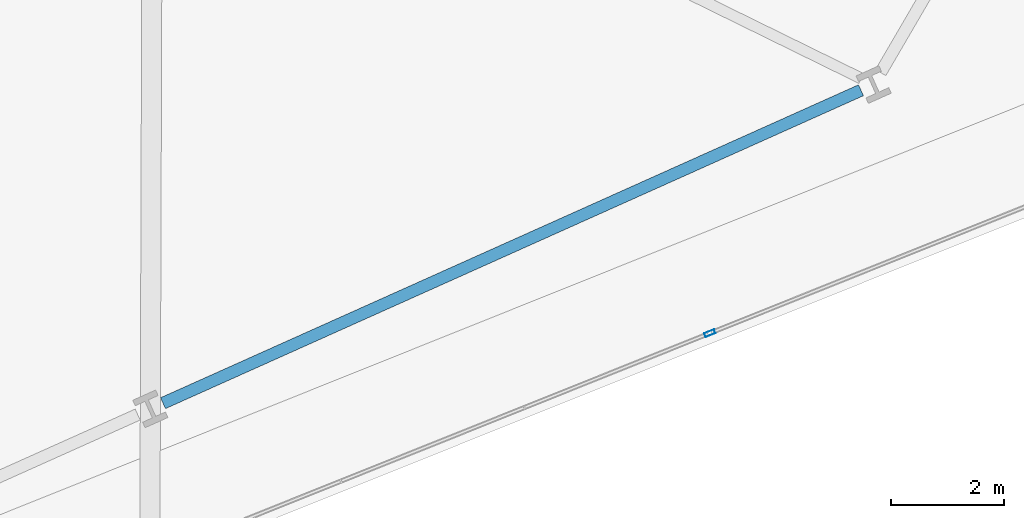
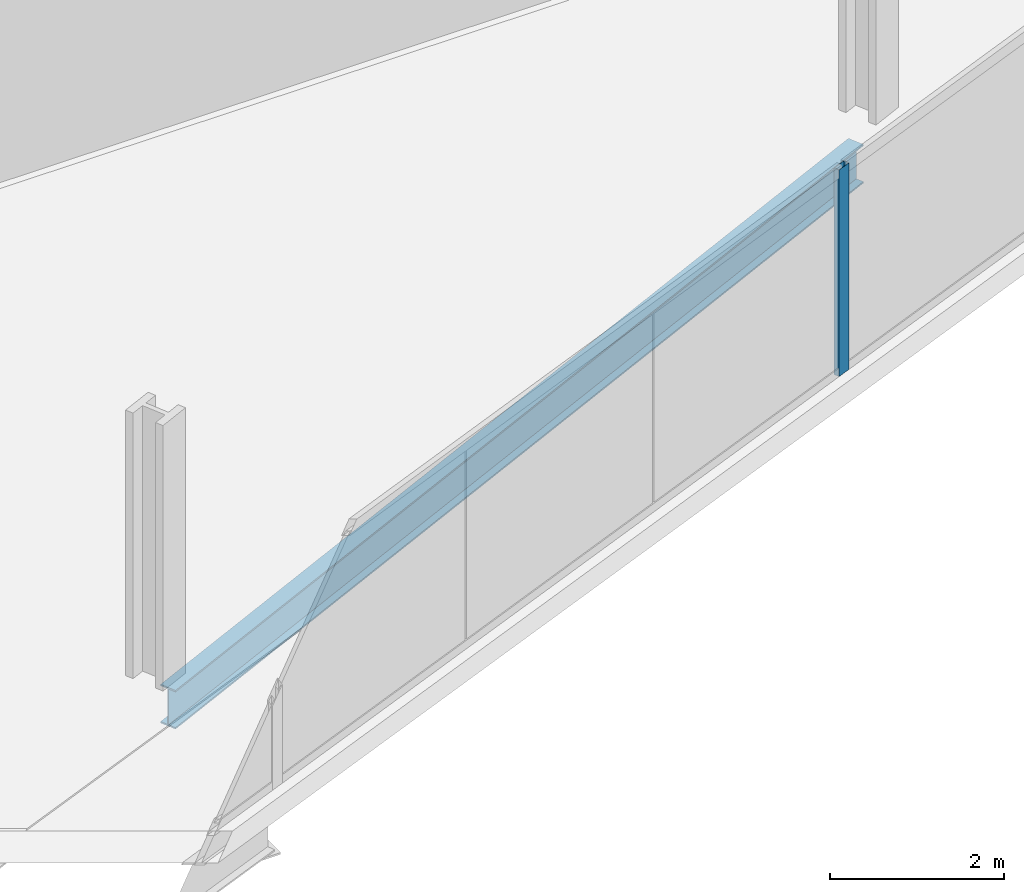
# One storey, part 9 of 33: 1 beam, 1 member, 1 element without a shape of its own.
"""IFC4 building model written with IfcOpenShell, lengths in metres."""

import ifcopenshell
import ifcopenshell.guid

model = None  # the IFC model being written
_history = None  # IfcOwnerHistory: only IFC2X3 demands one
_inside = {}  # id of a spatial element -> (the spatial element, [elements in it])
_under = {}  # id of a project, library or spatial element -> (it, [spatial elements below it])
_declared = {}  # id of a project -> (the project, [libraries it declares])
_typed = {}  # id of a type object -> (the type object, [elements of that type])
_made_of = {}  # id of a material, layer set ... -> (it, [elements and type objects made of it])


def new_model(schema):
    """Start an empty IFC model of exactly this schema.

    Asked for "IFC4X3", IfcOpenShell would pick the latest addendum, in which some entities
    have other attributes; the version numbers below select the first issue.
    IFC2X3 requires an IfcOwnerHistory on every rooted entity: one is made here for all.
    """
    global model, _history
    if schema == "IFC4X3":
        model = ifcopenshell.file(schema_version=(4, 3, 0, 0))
    else:
        model = ifcopenshell.file(schema=schema)
    _inside.clear()
    _under.clear()
    _declared.clear()
    _typed.clear()
    _made_of.clear()
    _history = None
    if model.schema == "IFC2X3":
        org = make("IfcOrganization", Name="unknown")
        user = make(
            "IfcPersonAndOrganization",
            ThePerson=make("IfcPerson", FamilyName="unknown"),
            TheOrganization=org,
        )
        app = make(
            "IfcApplication",
            ApplicationDeveloper=org,
            Version="unknown",
            ApplicationFullName="unknown",
            ApplicationIdentifier="unknown",
        )
        _history = make(
            "IfcOwnerHistory",
            OwningUser=user,
            OwningApplication=app,
            ChangeAction="ADDED",
            CreationDate=0,
        )
    return model


def make(cls, **values):
    """One entity of the class cls with the attributes given. An attribute that is None is left unset."""
    return model.create_entity(
        cls, **{name: value for name, value in values.items() if value is not None}
    )


def rooted(cls, **values):
    """An entity with a GlobalId (a new one), such as an element, a storey or a relation."""
    return make(cls, GlobalId=ifcopenshell.guid.new(), OwnerHistory=_history, **values)


def si_unit(unit_type, name, prefix=None):
    """IfcSIUnit, for example si_unit("LENGTHUNIT", "METRE", prefix="MILLI")."""
    return make("IfcSIUnit", UnitType=unit_type, Prefix=prefix, Name=name)


def assignment(units):
    """IfcUnitAssignment: the units of a project."""
    return None if units is None else make("IfcUnitAssignment", Units=units)


def point(xyz):
    """IfcCartesianPoint."""
    return None if xyz is None else make("IfcCartesianPoint", Coordinates=xyz)


def direction(xyz):
    """IfcDirection."""
    return None if xyz is None else make("IfcDirection", DirectionRatios=xyz)


def frame(location, z_axis=None, x_axis=None):
    """IfcAxis2Placement3D, a coordinate frame: its origin and axes. An axis left out is left unset."""
    return make(
        "IfcAxis2Placement3D",
        Location=point(location),
        Axis=direction(z_axis),
        RefDirection=direction(x_axis),
    )


def frame_2d(location, x_axis=None):
    """IfcAxis2Placement2D, a coordinate frame in the plane: its origin and x axis."""
    return make(
        "IfcAxis2Placement2D", Location=point(location), RefDirection=direction(x_axis)
    )


def origin():
    """The frame at (0, 0, 0) with its axes left unset."""
    return frame((0.0, 0.0, 0.0))


def origin_2d():
    """The frame at (0, 0) in the plane with its x axis left unset."""
    return frame_2d((0.0, 0.0))


def place(relative_to, where):
    """IfcLocalPlacement: puts the frame where relative to a parent placement (None: the world)."""
    return make(
        "IfcLocalPlacement", PlacementRelTo=relative_to, RelativePlacement=where
    )


def context(
    kind, dimensions, precision=None, world=None, true_north=None, identifier=None
):
    """IfcGeometricRepresentationContext, for example the 3D "Model" context."""
    return make(
        "IfcGeometricRepresentationContext",
        ContextIdentifier=identifier,
        ContextType=kind,
        CoordinateSpaceDimension=dimensions,
        Precision=precision,
        WorldCoordinateSystem=world,
        TrueNorth=true_north,
    )


def subcontext(parent, identifier, kind, view, scale=None):
    """IfcGeometricRepresentationSubContext, for example "Body" below "Model"."""
    return make(
        "IfcGeometricRepresentationSubContext",
        ContextIdentifier=identifier,
        ContextType=kind,
        ParentContext=parent,
        TargetScale=scale,
        TargetView=view,
    )


def project(units=None, contexts=None):
    """IfcProject with its units and contexts."""
    return rooted(
        "IfcProject",
        Name="project",
        RepresentationContexts=contexts,
        UnitsInContext=assignment(units),
    )


def spatial(cls, under=None, at=None, **own):
    """A site, building, storey or space (cls), placed at a placement, below another one or the project."""
    s = rooted(cls, ObjectPlacement=at, **own)
    if under is not None:
        _under.setdefault(under.id(), (under, []))[1].append(s)
    return s


def profile(cls, at=None, kind="AREA", **sizes):
    """A parametric profile (cls). Its sizes go by their IFC names, for example OverallWidth=200.0."""
    return make(cls, ProfileType=kind, Position=at, **sizes)


def hollow_rectangle(**sizes):
    """IfcRectangleHollowProfileDef."""
    return profile("IfcRectangleHollowProfileDef", **sizes)


def i_section(**sizes):
    """IfcIShapeProfileDef."""
    return profile("IfcIShapeProfileDef", **sizes)


def extrude(swept, where, along, depth):
    """IfcExtrudedAreaSolid: the profile swept, set in the frame where, extruded along a direction by depth."""
    return make(
        "IfcExtrudedAreaSolid",
        SweptArea=swept,
        Position=where,
        ExtrudedDirection=direction(along),
        Depth=depth,
    )


def shape(context_of_items, identifier, shape_type, items):
    """IfcShapeRepresentation: the items that make up one representation, for example the "Body"."""
    return make(
        "IfcShapeRepresentation",
        ContextOfItems=context_of_items,
        RepresentationIdentifier=identifier,
        RepresentationType=shape_type,
        Items=items,
    )


def material(Name=None, Category=None):
    """IfcMaterial."""
    return make("IfcMaterial", Name=Name, Category=Category)


def material_profile(
    of_material, cross_section, Name=None, Category=None, Priority=None
):
    """IfcMaterialProfile: a cross section and its material."""
    return make(
        "IfcMaterialProfile",
        Name=Name,
        Material=of_material,
        Profile=cross_section,
        Priority=Priority,
        Category=Category,
    )


def profile_set(profiles, Name=None, composite=None):
    """IfcMaterialProfileSet."""
    return make(
        "IfcMaterialProfileSet",
        Name=Name,
        MaterialProfiles=profiles,
        CompositeProfile=composite,
    )


def made_of(thing, what):
    """Note that an element or type object is made of a material, layer set ...; save() writes the relation."""
    if what is not None:
        _made_of.setdefault(what.id(), (what, []))[1].append(thing)
    return thing


def type_object(cls, material=None, **own):
    """A type object (cls), such as IfcWallType, which elements share."""
    return made_of(rooted(cls, **own), material)


def element(
    cls,
    number,
    at=None,
    inside=None,
    cuts=None,
    type_object=None,
    material=None,
    context=None,
    identifier="Body",
    shape_type=None,
    held_by="IfcProductDefinitionShape",
    body=None,
    shapes=None,
    **own,
):
    """One element of the class cls, such as IfcWall. Its Tag is "e" and its number.

    at: its placement. inside: the storey or other place that contains it. cuts: it is an
    opening in that element (IfcRelVoidsElement). A single representation is given by context,
    identifier, shape_type and body (its items); several are given by shapes. held_by: the class
    of the entity that holds the representations. save() writes the other relations.
    """
    e = rooted(cls, Tag="e%d" % number, ObjectPlacement=at, **own)
    if body is not None:
        shapes = [shape(context, identifier, shape_type, body)]
    if shapes is not None:
        e.Representation = make(held_by, Representations=shapes)
    if inside is not None:
        _inside.setdefault(inside.id(), (inside, []))[1].append(e)
    if cuts is not None:
        rooted(
            "IfcRelVoidsElement", RelatingBuildingElement=cuts, RelatedOpeningElement=e
        )
    if type_object is not None:
        _typed.setdefault(type_object.id(), (type_object, []))[1].append(e)
    return made_of(e, material)


def aggregate(whole, parts):
    """IfcRelAggregates: a whole, such as a stair, and the parts it consists of."""
    return rooted("IfcRelAggregates", RelatingObject=whole, RelatedObjects=parts)


def save(model, path):
    """Write the relations noted so far, then the file.

    IfcRelAggregates (storeys below a building ...), IfcRelContainedInSpatialStructure (elements
    in a storey), IfcRelDefinesByType, IfcRelAssociatesMaterial and IfcRelDeclares: one each for
    every whole, place, type object, material and project.
    """
    for whole, parts in _under.values():
        aggregate(whole, parts)
    for where, things in _inside.values():
        rooted(
            "IfcRelContainedInSpatialStructure",
            RelatedElements=things,
            RelatingStructure=where,
        )
    for kind, things in _typed.values():
        rooted("IfcRelDefinesByType", RelatedObjects=things, RelatingType=kind)
    for what, things in _made_of.values():
        rooted("IfcRelAssociatesMaterial", RelatedObjects=things, RelatingMaterial=what)
    for by, libraries in _declared.values():
        rooted("IfcRelDeclares", RelatingContext=by, RelatedDefinitions=libraries)
    model.write(path)


model = new_model("IFC4")

# Units and contexts
model_context = context("Model", 3, precision=1e-05, world=origin(), true_north=direction((0.0, 1.0)))
body_context = subcontext(model_context, "Body", "Model", "MODEL_VIEW")
ifc_project = project(units=[si_unit("LENGTHUNIT", "METRE"), si_unit("AREAUNIT", "SQUARE_METRE"), si_unit("VOLUMEUNIT", "CUBIC_METRE"), si_unit("PLANEANGLEUNIT", "RADIAN"), si_unit("MASSUNIT", "GRAM", prefix="KILO")], contexts=[model_context])

# Site, building, storey
site_placement = place(None, origin())
site = spatial("IfcSite", under=ifc_project, at=site_placement, CompositionType="ELEMENT")
building_placement = place(site_placement, origin())
building = spatial("IfcBuilding", under=site, at=building_placement, Name="Haldenkirk Collegiate Tower", CompositionType="ELEMENT")
storey_placement = place(building_placement, frame((0.0, 0.0, 101.699951171875)))
storey = spatial("IfcBuildingStorey", under=building, at=storey_placement, Name="L24", CompositionType="ELEMENT", Elevation=101.699951171875)

# Beam
ifc_material_1 = material(Name="Steel ASTM A992 Grade 50", Category="steel")
ifc_material_profile_1 = material_profile(ifc_material_1, i_section(OverallWidth=0.2119140625, OverallDepth=0.5439453125, WebThickness=0.01318359375, FlangeThickness=0.021240234375, at=origin_2d()), Name="W21X83")
ifc_profile_set_1 = profile_set([ifc_material_profile_1], Name="Steel ASTM A992 Grade 50")
beam_type = type_object("IfcBeamType", Name="BM-SPANDREL-W21X83", PredefinedType="SPANDREL", material=ifc_profile_set_1)
beam_placement = place(storey_placement, frame((45.183837890625, 6.1171875, -0.572021484375), z_axis=(0.912476765144, 0.409128528793, 0.0), x_axis=(-0.409128528793, 0.912476765144, 0.0)))
element("IfcBeam", 1, at=beam_placement, inside=storey, type_object=beam_type, Name="L24 perimeter spandrel beam 03", PredefinedType="SPANDREL", context=body_context, shape_type="SweptSolid", body=[
    extrude(i_section(OverallWidth=0.2119140625, OverallDepth=0.5439453125, WebThickness=0.01318359375, FlangeThickness=0.021240234375, at=origin_2d()), origin(), (0.0, 0.0, 1.0), 13.512939453125),
])

# Curtain wall, member
ifc_material_2 = material(Name="Anodised architectural bronze aluminium", Category="aluminium")
curtain_wall_type = type_object("IfcCurtainWallType", Name="CW-SYS2-CONCAVE", PredefinedType="USERDEFINED", material=ifc_material_2)
curtain_wall_placement = place(storey_placement, origin())
curtain_wall = element("IfcCurtainWall", 2, at=curtain_wall_placement, inside=storey, type_object=curtain_wall_type, Name="L24 South concave recessed bronze-anodised curtain wall", ObjectType="UNITISED CURTAIN WALL", PredefinedType="USERDEFINED")
ifc_material_profile_2 = material_profile(ifc_material_2, hollow_rectangle(XDim=0.074951171875, YDim=0.18994140625, WallThickness=0.0048828125, at=origin_2d()), Name="CW-MUL-02")
ifc_profile_set_2 = profile_set([ifc_material_profile_2], Name="Anodised architectural bronze aluminium")
member_type = type_object("IfcMemberType", Name="CW-MUL-02", PredefinedType="MULLION", material=ifc_profile_set_2)
member_placement = place(storey_placement, frame((54.843505859375, 7.353515625, 0.0), z_axis=(0.0, 0.0, 1.0), x_axis=(0.372177026355, -0.928161764486, 0.0)))
member = element("IfcMember", 3, at=member_placement, type_object=member_type, Name="CW-02 mullion 2", PredefinedType="MULLION", context=body_context, shape_type="SweptSolid", body=[
    extrude(hollow_rectangle(XDim=0.074951171875, YDim=0.18994140625, WallThickness=0.0048828125, at=origin_2d()), origin(), (0.0, 0.0, 1.0), 2.901123046875),
])
aggregate(curtain_wall, [member])

save(model, "model.ifc")
